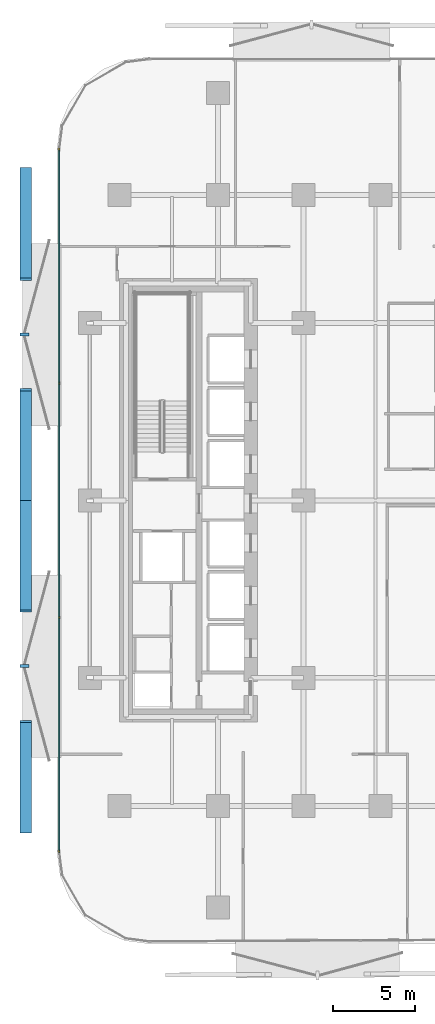
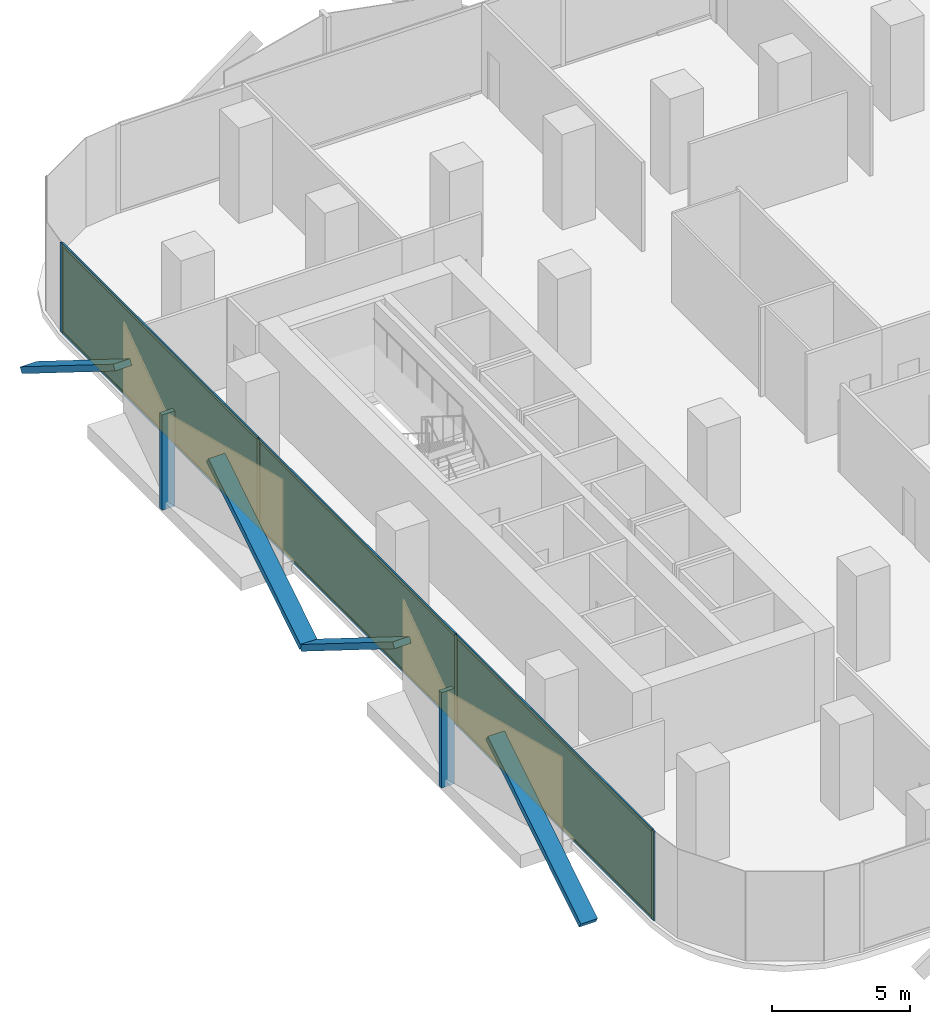
# One storey, part 8 of 15: 16 members, 3 plates, 1 curtain wall.
"""IFC4 building model written with IfcOpenShell, lengths in metres."""

from ifc_helpers import new_model, si_unit, direction, frame, frame_2d, origin, origin_2d, place, context, subcontext, project, spatial, rectangle, extrude, material, layer, layer_set, material_profile, profile_set, type_object, element, aggregate, save


model = new_model("IFC4")

# Units and contexts
model_context = context("Model", 3, precision=1e-05, world=origin(), true_north=direction((0.0, 1.0)))
body_context = subcontext(model_context, "Body", "Model", "MODEL_VIEW")
ifc_project = project(units=[si_unit("LENGTHUNIT", "METRE"), si_unit("AREAUNIT", "SQUARE_METRE"), si_unit("VOLUMEUNIT", "CUBIC_METRE"), si_unit("PLANEANGLEUNIT", "RADIAN"), si_unit("MASSUNIT", "GRAM", prefix="KILO")], contexts=[model_context])

# Member
ifc_material_1 = material(Name="Anodised Bronze Aluminium 6063-T6", Category="aluminium")
ifc_material_profile_1 = material_profile(ifc_material_1, rectangle(XDim=0.260009765625, YDim=0.699951171875, at=origin_2d()))
ifc_profile_set_1 = profile_set([ifc_material_profile_1], Name="Anodised Bronze Aluminium 6063-T6")
member_type_1 = type_object("IfcMemberType", Name="Bronze Diamond Solar-Screen Lattice Rib BDL-700", PredefinedType="MULLION", material=ifc_profile_set_1)
site_placement = place(None, origin())
building_placement = place(site_placement, origin())
storey_placement = place(building_placement, frame((0.0, 0.0, 76.39990234375)))
member_1_placement = place(storey_placement, frame((-26.10009765625, -20.19091796875, -0.1298828125), z_axis=(0.0, 0.848371528126, 0.529401313057), x_axis=(0.0, -0.529401313057, 0.848371528126)))
member_1 = element("IfcMember", 1, at=member_1_placement, type_object=member_type_1, Name="L18 Bronze Diamond Solar Screen Lattice Rib 99A", PredefinedType="MULLION", context=body_context, shape_type="SweptSolid", body=[
    extrude(rectangle(XDim=0.260009765625, YDim=0.699951171875, at=origin_2d()), origin(), (0.0, 0.0, 1.0), 7.933349609375),
])

member_2_placement = place(storey_placement, frame((-26.10009765625, 0.0, -0.1298828125), z_axis=(0.0, -0.848362902952, 0.529415134744), x_axis=(0.0, 0.529415134744, 0.848362902952)))
member_2 = element("IfcMember", 2, at=member_2_placement, type_object=member_type_1, Name="L18 Bronze Diamond Solar Screen Lattice Rib 99B", PredefinedType="MULLION", context=body_context, shape_type="SweptSolid", body=[
    extrude(rectangle(XDim=0.260009765625, YDim=0.699951171875, at=origin_2d()), origin(), (0.0, 0.0, 1.0), 7.93310546875),
])

member_3_placement = place(storey_placement, frame((-26.10009765625, 0.0, -0.1298828125), z_axis=(0.0, 0.848362902952, 0.529415134744), x_axis=(0.0, -0.529415134744, 0.848362902952)))
member_3 = element("IfcMember", 3, at=member_3_placement, type_object=member_type_1, Name="L18 Bronze Diamond Solar Screen Lattice Rib 100A", PredefinedType="MULLION", context=body_context, shape_type="SweptSolid", body=[
    extrude(rectangle(XDim=0.260009765625, YDim=0.699951171875, at=origin_2d()), origin(), (0.0, 0.0, 1.0), 7.93310546875),
])

member_4_placement = place(storey_placement, frame((-26.10009765625, 20.19091796875, -0.1298828125), z_axis=(0.0, -0.848371528126, 0.529401313057), x_axis=(0.0, 0.529401313057, 0.848371528126)))
member_4 = element("IfcMember", 4, at=member_4_placement, type_object=member_type_1, Name="L18 Bronze Diamond Solar Screen Lattice Rib 100B", PredefinedType="MULLION", context=body_context, shape_type="SweptSolid", body=[
    extrude(rectangle(XDim=0.260009765625, YDim=0.699951171875, at=origin_2d()), origin(), (0.0, 0.0, 1.0), 7.933349609375),
])

ifc_material_2 = material(Name="Anodised Bronze Aluminium 6063-T6", Category="aluminium")
ifc_material_profile_2 = material_profile(ifc_material_2, rectangle(XDim=0.179931640625, YDim=0.5400390625, at=origin_2d()))
ifc_profile_set_2 = profile_set([ifc_material_profile_2], Name="Anodised Bronze Aluminium 6063-T6")
member_type_2 = type_object("IfcMemberType", Name="Bronze Solar-Screen Vertical Fold Fin BSF-540", PredefinedType="MULLION", material=ifc_profile_set_2)
member_5_placement = place(storey_placement, frame((-26.179931640625, -10.095458984375, -0.1298828125), z_axis=(0.0, 0.0, 1.0), x_axis=(0.0, 1.0, 0.0)))
member_5 = element("IfcMember", 5, at=member_5_placement, type_object=member_type_2, Name="L18 Bronze Solar Screen Vertical Fin 99", PredefinedType="MULLION", context=body_context, shape_type="SweptSolid", body=[
    extrude(rectangle(XDim=0.179931640625, YDim=0.5400390625, at=origin_2d()), origin(), (0.0, 0.0, 1.0), 4.199951171875),
])

member_6_placement = place(storey_placement, frame((-26.179931640625, 10.095458984375, -0.1298828125), z_axis=(0.0, 0.0, 1.0), x_axis=(0.0, 1.0, 0.0)))
member_6 = element("IfcMember", 6, at=member_6_placement, type_object=member_type_2, Name="L18 Bronze Solar Screen Vertical Fin 100", PredefinedType="MULLION", context=body_context, shape_type="SweptSolid", body=[
    extrude(rectangle(XDim=0.179931640625, YDim=0.5400390625, at=origin_2d()), origin(), (0.0, 0.0, 1.0), 4.199951171875),
])

ifc_material_3 = material(Name="Anodised Bronze Aluminium 6063-T6", Category="aluminium")
ifc_material_profile_3 = material_profile(ifc_material_3, rectangle(XDim=0.06494140625, YDim=0.179931640625, at=origin_2d()))
ifc_profile_set_3 = profile_set([ifc_material_profile_3], Name="Anodised Bronze Aluminium 6063-T6")
member_type_3 = type_object("IfcMemberType", Name="CW-Z1 Mullion 65x180", PredefinedType="MULLION", material=ifc_profile_set_3)
member_7_placement = place(storey_placement, frame((-24.06005859375, -21.3583984375, 0.0), z_axis=(0.0, 0.0, 1.0), x_axis=(-1.0, 0.0, 0.0)))
member_7 = element("IfcMember", 7, at=member_7_placement, type_object=member_type_3, Name="CW-Z1 mullion 1", PredefinedType="MULLION", context=body_context, shape_type="SweptSolid", body=[
    extrude(rectangle(XDim=0.06494140625, YDim=0.179931640625, at=origin_2d()), origin(), (0.0, 0.0, 1.0), 3.940185546875),
])

member_8_placement = place(storey_placement, frame((-24.06005859375, -7.13037109375, 0.0), z_axis=(0.0, 0.0, 1.0), x_axis=(-1.0, 0.0, 0.0)))
member_8 = element("IfcMember", 8, at=member_8_placement, type_object=member_type_3, Name="CW-Z1 mullion 2", PredefinedType="MULLION", context=body_context, shape_type="SweptSolid", body=[
    extrude(rectangle(XDim=0.06494140625, YDim=0.179931640625, at=origin_2d()), origin(), (0.0, 0.0, 1.0), 3.940185546875),
])

member_9_placement = place(storey_placement, frame((-24.06005859375, 7.13037109375, 0.0), z_axis=(0.0, 0.0, 1.0), x_axis=(-1.0, 0.0, 0.0)))
member_9 = element("IfcMember", 9, at=member_9_placement, type_object=member_type_3, Name="CW-Z1 mullion 3", PredefinedType="MULLION", context=body_context, shape_type="SweptSolid", body=[
    extrude(rectangle(XDim=0.06494140625, YDim=0.179931640625, at=origin_2d()), origin(), (0.0, 0.0, 1.0), 3.940185546875),
])

member_10_placement = place(storey_placement, frame((-24.06005859375, 21.3583984375, 0.0), z_axis=(0.0, 0.0, 1.0), x_axis=(-1.0, 0.0, 0.0)))
member_10 = element("IfcMember", 10, at=member_10_placement, type_object=member_type_3, Name="CW-Z1 mullion 4", PredefinedType="MULLION", context=body_context, shape_type="SweptSolid", body=[
    extrude(rectangle(XDim=0.06494140625, YDim=0.179931640625, at=origin_2d()), origin(), (0.0, 0.0, 1.0), 3.940185546875),
])

ifc_material_4 = material(Name="Anodised Bronze Aluminium 6063-T6", Category="aluminium")
ifc_material_profile_4 = material_profile(ifc_material_4, rectangle(XDim=0.06494140625, YDim=0.139892578125, at=origin_2d()))
ifc_profile_set_4 = profile_set([ifc_material_profile_4], Name="Anodised Bronze Aluminium 6063-T6")
member_type_4 = type_object("IfcMemberType", Name="CW-Z1 Transom 65x140", PredefinedType="USERDEFINED", material=ifc_profile_set_4)
member_11_placement = place(storey_placement, frame((-24.06005859375, -21.32568359375, 0.03271484375), z_axis=(0.0, 1.0, 0.0), x_axis=(-1.0, 0.0, 0.0)))
member_11 = element("IfcMember", 11, at=member_11_placement, type_object=member_type_4, Name="CW-Z1 transom 1.1", ObjectType="TRANSOM", PredefinedType="USERDEFINED", context=body_context, shape_type="SweptSolid", body=[
    extrude(rectangle(XDim=0.06494140625, YDim=0.139892578125, at=origin_2d()), origin(), (0.0, 0.0, 1.0), 14.162841796875),
])

member_12_placement = place(storey_placement, frame((-24.06005859375, -21.32568359375, 3.90771484375), z_axis=(0.0, 1.0, 0.0), x_axis=(-1.0, 0.0, 0.0)))
member_12 = element("IfcMember", 12, at=member_12_placement, type_object=member_type_4, Name="CW-Z1 transom 1.2", ObjectType="TRANSOM", PredefinedType="USERDEFINED", context=body_context, shape_type="SweptSolid", body=[
    extrude(rectangle(XDim=0.06494140625, YDim=0.139892578125, at=origin_2d()), origin(), (0.0, 0.0, 1.0), 14.162841796875),
])

member_13_placement = place(storey_placement, frame((-24.06005859375, -7.09765625, 0.03271484375), z_axis=(0.0, 1.0, 0.0), x_axis=(-1.0, 0.0, 0.0)))
member_13 = element("IfcMember", 13, at=member_13_placement, type_object=member_type_4, Name="CW-Z1 transom 2.1", ObjectType="TRANSOM", PredefinedType="USERDEFINED", context=body_context, shape_type="SweptSolid", body=[
    extrude(rectangle(XDim=0.06494140625, YDim=0.139892578125, at=origin_2d()), origin(), (0.0, 0.0, 1.0), 14.1953125),
])

member_14_placement = place(storey_placement, frame((-24.06005859375, -7.09765625, 3.90771484375), z_axis=(0.0, 1.0, 0.0), x_axis=(-1.0, 0.0, 0.0)))
member_14 = element("IfcMember", 14, at=member_14_placement, type_object=member_type_4, Name="CW-Z1 transom 2.2", ObjectType="TRANSOM", PredefinedType="USERDEFINED", context=body_context, shape_type="SweptSolid", body=[
    extrude(rectangle(XDim=0.06494140625, YDim=0.139892578125, at=origin_2d()), origin(), (0.0, 0.0, 1.0), 14.1953125),
])

member_15_placement = place(storey_placement, frame((-24.06005859375, 7.162841796875, 0.03271484375), z_axis=(0.0, 1.0, 0.0), x_axis=(-1.0, 0.0, 0.0)))
member_15 = element("IfcMember", 15, at=member_15_placement, type_object=member_type_4, Name="CW-Z1 transom 3.1", ObjectType="TRANSOM", PredefinedType="USERDEFINED", context=body_context, shape_type="SweptSolid", body=[
    extrude(rectangle(XDim=0.06494140625, YDim=0.139892578125, at=origin_2d()), origin(), (0.0, 0.0, 1.0), 14.162841796875),
])

member_16_placement = place(storey_placement, frame((-24.06005859375, 7.162841796875, 3.90771484375), z_axis=(0.0, 1.0, 0.0), x_axis=(-1.0, 0.0, 0.0)))
member_16 = element("IfcMember", 16, at=member_16_placement, type_object=member_type_4, Name="CW-Z1 transom 3.2", ObjectType="TRANSOM", PredefinedType="USERDEFINED", context=body_context, shape_type="SweptSolid", body=[
    extrude(rectangle(XDim=0.06494140625, YDim=0.139892578125, at=origin_2d()), origin(), (0.0, 0.0, 1.0), 14.162841796875),
])

# Plate
ifc_material_5 = material(Name="Low-E Solar Control Laminated Glass", Category="glass")
ifc_layer_1 = layer(ifc_material_5, 0.028076171875, Name="Low-E Solar Control Laminated Glass")
ifc_layer_set_1 = layer_set([ifc_layer_1], Name="Low-E Solar Control Laminated Glass")
plate_type = type_object("IfcPlateType", Name="CW-Z1 Low-E Double Glazed Panel 28mm", PredefinedType="CURTAIN_PANEL", material=ifc_layer_set_1)
plate_1_placement = place(storey_placement, frame((-24.06005859375, -14.244384765625, 0.065185546875), z_axis=(0.0, 0.0, 1.0), x_axis=(0.0, 1.0, 0.0)))
plate_1 = element("IfcPlate", 17, at=plate_1_placement, type_object=plate_type, Name="CW-Z1 panel 1.1", PredefinedType="CURTAIN_PANEL", context=body_context, shape_type="SweptSolid", body=[
    extrude(rectangle(XDim=14.1630859375, YDim=0.028076171875, at=origin_2d()), origin(), (0.0, 0.0, 1.0), 3.81005859375),
])

plate_2_placement = place(storey_placement, frame((-24.06005859375, 0.0, 0.065185546875), z_axis=(0.0, 0.0, 1.0), x_axis=(0.0, 1.0, 0.0)))
plate_2 = element("IfcPlate", 18, at=plate_2_placement, type_object=plate_type, Name="CW-Z1 panel 2.1", PredefinedType="CURTAIN_PANEL", context=body_context, shape_type="SweptSolid", body=[
    extrude(rectangle(XDim=14.195556640625, YDim=0.028076171875, at=origin_2d()), origin(), (0.0, 0.0, 1.0), 3.81005859375),
])

plate_3_placement = place(storey_placement, frame((-24.06005859375, 14.244384765625, 0.065185546875), z_axis=(0.0, 0.0, 1.0), x_axis=(0.0, 1.0, 0.0)))
plate_3 = element("IfcPlate", 19, at=plate_3_placement, type_object=plate_type, Name="CW-Z1 panel 3.1", PredefinedType="CURTAIN_PANEL", context=body_context, shape_type="SweptSolid", body=[
    extrude(rectangle(XDim=14.1630859375, YDim=0.028076171875, at=origin_2d()), origin(), (0.0, 0.0, 1.0), 3.81005859375),
])

# Site, building, storey
site = spatial("IfcSite", under=ifc_project, at=site_placement, CompositionType="ELEMENT")
building = spatial("IfcBuilding", under=site, at=building_placement, Name="Khairoan Windgate Tower", CompositionType="ELEMENT")
storey = spatial("IfcBuildingStorey", under=building, at=storey_placement, Name="L18", CompositionType="ELEMENT", Elevation=76.39990234375)

# Curtain wall
ifc_material_6 = material(Name="Anodised Bronze Aluminium 6063-T6", Category="aluminium")
ifc_layer_2 = layer(ifc_material_6, 0.179931640625, Name="Anodised Bronze Aluminium 6063-T6")
ifc_layer_set_2 = layer_set([ifc_layer_2], Name="Anodised Bronze Aluminium 6063-T6")
curtain_wall_type = type_object("IfcCurtainWallType", Name="Low-Rise Office Unitised Curtain Wall CW-Z1", PredefinedType="NOTDEFINED", material=ifc_layer_set_2)
curtain_wall_placement = place(storey_placement, frame((-24.06005859375, -21.390869140625, 0.0), z_axis=(0.0, 0.0, 1.0), x_axis=(0.0, 1.0, 0.0)))
curtain_wall = element("IfcCurtainWall", 20, at=curtain_wall_placement, inside=storey, type_object=curtain_wall_type, Name="L18 Unitised Curtain Wall 6", PredefinedType="NOTDEFINED", context=body_context, shape_type="SweptSolid", body=[
    extrude(rectangle(XDim=42.78173828125, YDim=0.010009765625, at=frame_2d((21.390869140625, 0.0))), origin(), (0.0, 0.0, 1.0), 3.940185546875),
])

aggregate(curtain_wall, [member_7, member_8, member_9, member_10, member_11, member_12, plate_1, member_13, member_14, plate_2, member_15, member_16, plate_3, member_1, member_2, member_5, member_3, member_4, member_6])

save(model, "model.ifc")
